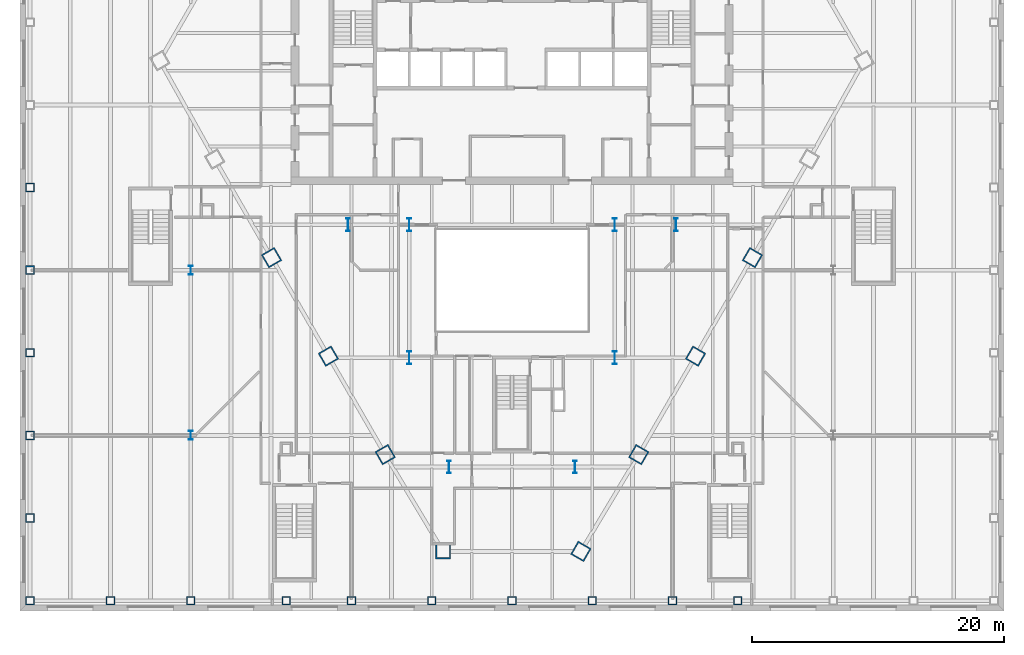
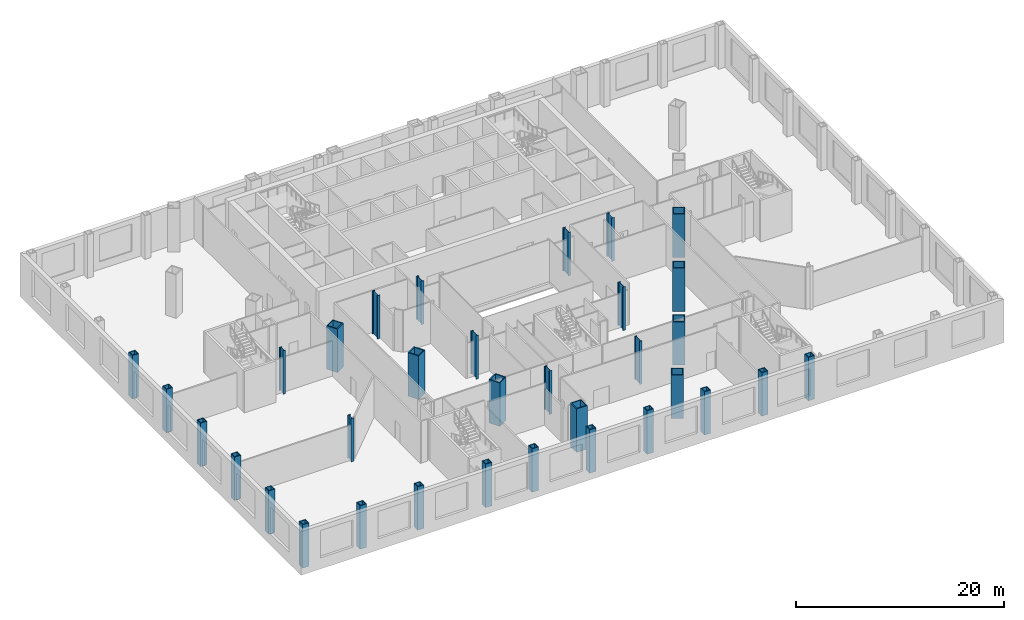
# One storey, part 1 of 21: 33 columns.
"""IFC4 building model written with IfcOpenShell, lengths in metres."""

from ifc_helpers import new_model, si_unit, direction, frame, origin, origin_2d, place, context, subcontext, project, spatial, hollow_rectangle, i_section, extrude, material, material_profile, profile_set, type_object, element, save


model = new_model("IFC4")

# Units and contexts
model_context = context("Model", 3, precision=1e-05, world=origin(), true_north=direction((0.0, 1.0)))
body_context = subcontext(model_context, "Body", "Model", "MODEL_VIEW")
ifc_project = project(units=[si_unit("LENGTHUNIT", "METRE"), si_unit("AREAUNIT", "SQUARE_METRE"), si_unit("VOLUMEUNIT", "CUBIC_METRE"), si_unit("PLANEANGLEUNIT", "RADIAN"), si_unit("MASSUNIT", "GRAM", prefix="KILO")], contexts=[model_context])

# Site, building, storey
site_placement = place(None, origin())
site = spatial("IfcSite", under=ifc_project, at=site_placement, CompositionType="ELEMENT")
building_placement = place(site_placement, origin())
building = spatial("IfcBuilding", under=site, at=building_placement, Name="Njiva Tower", CompositionType="ELEMENT")
storey_placement = place(building_placement, frame((0.0, 0.0, 8.4)))
storey = spatial("IfcBuildingStorey", under=building, at=storey_placement, Name="L01", CompositionType="ELEMENT", Elevation=8.4)

# Columns
ifc_material = material(Name="Steel S355 J2", Category="steel")
ifc_material_profile_1 = material_profile(ifc_material, hollow_rectangle(XDim=1.2, YDim=1.2, WallThickness=0.1, at=origin_2d()), Name="BOX 1200x1200x100")
ifc_profile_set_1 = profile_set([ifc_material_profile_1], Name="Steel S355 J2")
column_type_1 = type_object("IfcColumnType", Name="C1 Mega-column BOX 1200x1200x100", PredefinedType="COLUMN", material=ifc_profile_set_1)
for number, where, z_axis, x_axis, name in (
    (1, (-19.061, -5.807, 0.0), (0.0, 0.0, 1.0), (0.5, -0.866025403784, 0.0), "Mega-column L01-C09"),
    (2, (-14.553, -13.615, 0.0), (0.0, 0.0, 1.0), (0.5, -0.866025403784, 0.0), "Mega-column L01-C10"),
    (3, (-10.046, -21.422, 0.0), (0.0, 0.0, 1.0), (0.5, -0.866025403784, 0.0), "Mega-column L01-C11"),
    (4, (-5.461, -29.096, 0.0), (0.0, 0.0, 1.0), (1.0, 0.0, 0.0), "Mega-column L01-C12"),
    (5, (5.461, -29.096, 0.0), (0.0, 0.0, 1.0), (0.5, 0.866025403784, 0.0), "Mega-column L01-C13"),
    (6, (10.046, -21.422, 0.0), (0.0, 0.0, 1.0), (0.5, 0.866025403784, 0.0), "Mega-column L01-C14"),
    (7, (14.553, -13.615, 0.0), (0.0, 0.0, 1.0), (0.5, 0.866025403784, 0.0), "Mega-column L01-C15"),
    (8, (19.061, -5.807, 0.0), (0.0, 0.0, 1.0), (0.5, 0.866025403784, 0.0), "Mega-column L01-C16"),
):
    element("IfcColumn", number, at=place(storey_placement, frame(where, z_axis=z_axis, x_axis=x_axis)), inside=storey, type_object=column_type_1, Name=name, PredefinedType="COLUMN", context=body_context, shape_type="SweptSolid", body=[
        extrude(hollow_rectangle(XDim=1.2, YDim=1.2, WallThickness=0.1, at=origin_2d()), origin(), (0.0, 0.0, 1.0), 5.1),
    ])
ifc_material_profile_2 = material_profile(ifc_material, i_section(OverallWidth=0.302, OverallDepth=1.008, WebThickness=0.021, FlangeThickness=0.04, at=origin_2d()), Name="HEM 1000")
ifc_profile_set_2 = profile_set([ifc_material_profile_2], Name="Steel S355 J2")
column_type_2 = type_object("IfcColumnType", Name="C2 Interior column HEM 1000", PredefinedType="COLUMN", material=ifc_profile_set_2)
for number, where, z_axis, x_axis, name in (
    (9, (8.15, -3.2, 0.0), (0.0, 0.0, 1.0), (1.0, 0.0, 0.0), "Interior column L01-C19"),
    (10, (-8.15, -3.2, 0.0), (0.0, 0.0, 1.0), (1.0, 0.0, 0.0), "Interior column L01-C20"),
    (11, (8.15, -13.75, 0.0), (0.0, 0.0, 1.0), (1.0, 0.0, 0.0), "Interior column L01-C21"),
    (12, (-8.15, -13.75, 0.0), (0.0, 0.0, 1.0), (1.0, 0.0, 0.0), "Interior column L01-C22"),
    (13, (5.0, -22.4, 0.0), (0.0, 0.0, 1.0), (1.0, 0.0, 0.0), "Interior column L01-C23"),
    (14, (-5.0, -22.4, 0.0), (0.0, 0.0, 1.0), (1.0, 0.0, 0.0), "Interior column L01-C24"),
    (15, (13.0, -3.2, 0.0), (0.0, 0.0, 1.0), (1.0, 0.0, 0.0), "Interior column L01-C25"),
    (16, (-13.0, -3.2, 0.0), (0.0, 0.0, 1.0), (1.0, 0.0, 0.0), "Interior column L01-C26"),
):
    element("IfcColumn", number, at=place(storey_placement, frame(where, z_axis=z_axis, x_axis=x_axis)), inside=storey, type_object=column_type_2, Name=name, PredefinedType="COLUMN", context=body_context, shape_type="SweptSolid", body=[
        extrude(i_section(OverallWidth=0.302, OverallDepth=1.008, WebThickness=0.021, FlangeThickness=0.04, at=origin_2d()), origin(), (0.0, 0.0, 1.0), 5.1),
    ])
ifc_material_profile_3 = material_profile(ifc_material, hollow_rectangle(XDim=0.7, YDim=0.7, WallThickness=0.08, at=origin_2d()), Name="BOX 700x700x80")
ifc_profile_set_3 = profile_set([ifc_material_profile_3], Name="Steel S355 J2")
column_type_3 = type_object("IfcColumnType", Name="C3 Podium perimeter column BOX 700x700x80", PredefinedType="COLUMN", material=ifc_profile_set_3)
for number, where, z_axis, x_axis, name in (
    (17, (-38.2, -0.25, 0.0), (0.0, 0.0, 1.0), (0.0, -1.0, 0.0), "Podium perimeter column L01-C45"),
    (18, (-38.2, -6.8, 0.0), (0.0, 0.0, 1.0), (0.0, -1.0, 0.0), "Podium perimeter column L01-C46"),
    (19, (-38.2, -13.35, 0.0), (0.0, 0.0, 1.0), (0.0, -1.0, 0.0), "Podium perimeter column L01-C47"),
    (20, (-38.2, -19.9, 0.0), (0.0, 0.0, 1.0), (0.0, -1.0, 0.0), "Podium perimeter column L01-C48"),
    (21, (-38.2, -26.45, 0.0), (0.0, 0.0, 1.0), (0.0, -1.0, 0.0), "Podium perimeter column L01-C49"),
    (22, (-38.2, -33.0, 0.0), (0.0, 0.0, 1.0), (1.0, 0.0, 0.0), "Podium perimeter column L01-C50"),
    (23, (-31.833, -33.0, 0.0), (0.0, 0.0, 1.0), (1.0, 0.0, 0.0), "Podium perimeter column L01-C51"),
    (24, (-25.467, -33.0, 0.0), (0.0, 0.0, 1.0), (1.0, 0.0, 0.0), "Podium perimeter column L01-C52"),
    (25, (-17.9, -33.0, 0.0), (0.0, 0.0, 1.0), (1.0, 0.0, 0.0), "Podium perimeter column L01-C53"),
    (26, (-12.733, -33.0, 0.0), (0.0, 0.0, 1.0), (1.0, 0.0, 0.0), "Podium perimeter column L01-C54"),
    (27, (-6.367, -33.0, 0.0), (0.0, 0.0, 1.0), (1.0, 0.0, 0.0), "Podium perimeter column L01-C55"),
    (28, (0.0, -33.0, 0.0), (0.0, 0.0, 1.0), (1.0, 0.0, 0.0), "Podium perimeter column L01-C56"),
    (29, (6.367, -33.0, 0.0), (0.0, 0.0, 1.0), (1.0, 0.0, 0.0), "Podium perimeter column L01-C57"),
    (30, (12.733, -33.0, 0.0), (0.0, 0.0, 1.0), (1.0, 0.0, 0.0), "Podium perimeter column L01-C58"),
    (31, (17.9, -33.0, 0.0), (0.0, 0.0, 1.0), (1.0, 0.0, 0.0), "Podium perimeter column L01-C59"),
):
    element("IfcColumn", number, at=place(storey_placement, frame(where, z_axis=z_axis, x_axis=x_axis)), inside=storey, type_object=column_type_3, Name=name, PredefinedType="COLUMN", context=body_context, shape_type="SweptSolid", body=[
        extrude(hollow_rectangle(XDim=0.7, YDim=0.7, WallThickness=0.08, at=origin_2d()), origin(), (0.0, 0.0, 1.0), 5.1),
    ])
ifc_material_profile_4 = material_profile(ifc_material, i_section(OverallWidth=0.304, OverallDepth=0.716, WebThickness=0.021, FlangeThickness=0.04, at=origin_2d()), Name="HEM 700")
ifc_profile_set_4 = profile_set([ifc_material_profile_4], Name="Steel S355 J2")
column_type_4 = type_object("IfcColumnType", Name="C4 Station column HEM 700", PredefinedType="COLUMN", material=ifc_profile_set_4)
for number, where, z_axis, x_axis, name in (
    (32, (-25.467, -6.8, 0.0), (0.0, 0.0, 1.0), (1.0, 0.0, 0.0), "Station column L01-C62"),
    (33, (-25.467, -19.9, 0.0), (0.0, 0.0, 1.0), (1.0, 0.0, 0.0), "Station column L01-C63"),
):
    element("IfcColumn", number, at=place(storey_placement, frame(where, z_axis=z_axis, x_axis=x_axis)), inside=storey, type_object=column_type_4, Name=name, PredefinedType="COLUMN", context=body_context, shape_type="SweptSolid", body=[
        extrude(i_section(OverallWidth=0.304, OverallDepth=0.716, WebThickness=0.021, FlangeThickness=0.04, at=origin_2d()), origin(), (0.0, 0.0, 1.0), 5.1),
    ])

save(model, "model.ifc")
